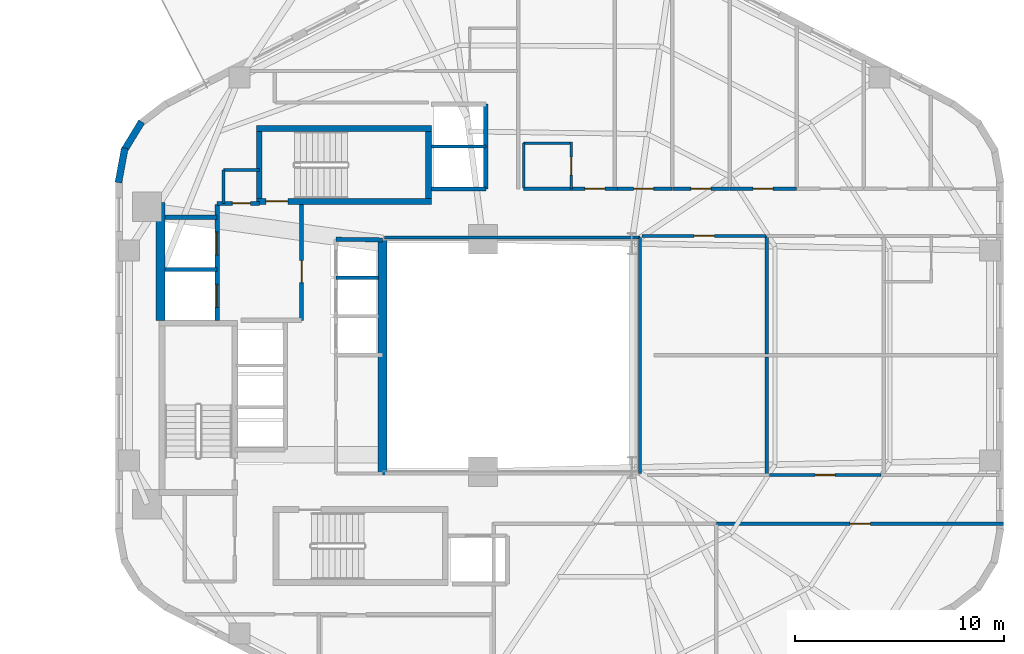
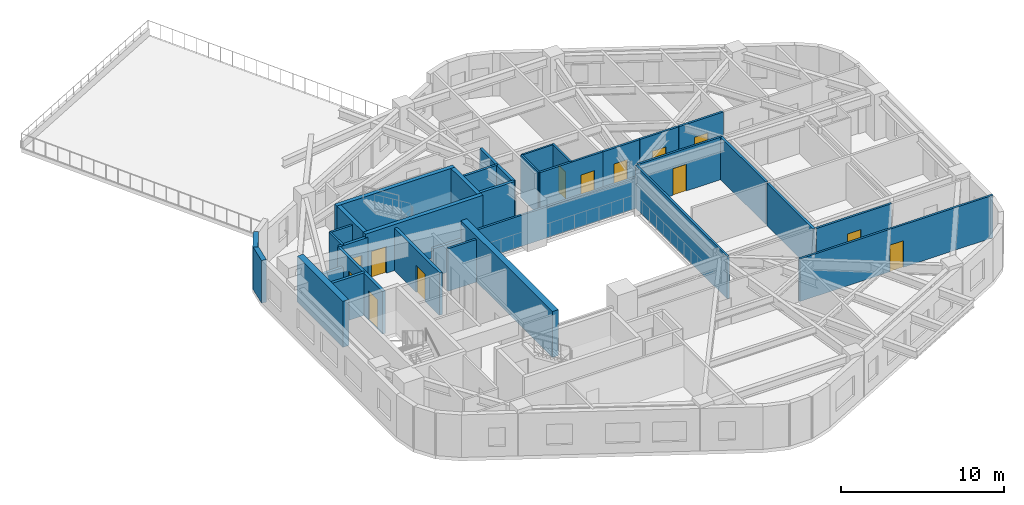
# One storey, part 4 of 8: 34 walls, 13 doors, 13 openings.
"""IFC4 building model written with IfcOpenShell, lengths in metres."""

import ifcopenshell
import ifcopenshell.guid

model = None  # the IFC model being written
_history = None  # IfcOwnerHistory: only IFC2X3 demands one
_inside = {}  # id of a spatial element -> (the spatial element, [elements in it])
_under = {}  # id of a project, library or spatial element -> (it, [spatial elements below it])
_declared = {}  # id of a project -> (the project, [libraries it declares])
_typed = {}  # id of a type object -> (the type object, [elements of that type])
_made_of = {}  # id of a material, layer set ... -> (it, [elements and type objects made of it])


def new_model(schema):
    """Start an empty IFC model of exactly this schema.

    Asked for "IFC4X3", IfcOpenShell would pick the latest addendum, in which some entities
    have other attributes; the version numbers below select the first issue.
    IFC2X3 requires an IfcOwnerHistory on every rooted entity: one is made here for all.
    """
    global model, _history
    if schema == "IFC4X3":
        model = ifcopenshell.file(schema_version=(4, 3, 0, 0))
    else:
        model = ifcopenshell.file(schema=schema)
    _inside.clear()
    _under.clear()
    _declared.clear()
    _typed.clear()
    _made_of.clear()
    _history = None
    if model.schema == "IFC2X3":
        org = make("IfcOrganization", Name="unknown")
        user = make(
            "IfcPersonAndOrganization",
            ThePerson=make("IfcPerson", FamilyName="unknown"),
            TheOrganization=org,
        )
        app = make(
            "IfcApplication",
            ApplicationDeveloper=org,
            Version="unknown",
            ApplicationFullName="unknown",
            ApplicationIdentifier="unknown",
        )
        _history = make(
            "IfcOwnerHistory",
            OwningUser=user,
            OwningApplication=app,
            ChangeAction="ADDED",
            CreationDate=0,
        )
    return model


def make(cls, **values):
    """One entity of the class cls with the attributes given. An attribute that is None is left unset."""
    return model.create_entity(
        cls, **{name: value for name, value in values.items() if value is not None}
    )


def rooted(cls, **values):
    """An entity with a GlobalId (a new one), such as an element, a storey or a relation."""
    return make(cls, GlobalId=ifcopenshell.guid.new(), OwnerHistory=_history, **values)


def si_unit(unit_type, name, prefix=None):
    """IfcSIUnit, for example si_unit("LENGTHUNIT", "METRE", prefix="MILLI")."""
    return make("IfcSIUnit", UnitType=unit_type, Prefix=prefix, Name=name)


def assignment(units):
    """IfcUnitAssignment: the units of a project."""
    return None if units is None else make("IfcUnitAssignment", Units=units)


def point(xyz):
    """IfcCartesianPoint."""
    return None if xyz is None else make("IfcCartesianPoint", Coordinates=xyz)


def direction(xyz):
    """IfcDirection."""
    return None if xyz is None else make("IfcDirection", DirectionRatios=xyz)


def frame(location, z_axis=None, x_axis=None):
    """IfcAxis2Placement3D, a coordinate frame: its origin and axes. An axis left out is left unset."""
    return make(
        "IfcAxis2Placement3D",
        Location=point(location),
        Axis=direction(z_axis),
        RefDirection=direction(x_axis),
    )


def frame_2d(location, x_axis=None):
    """IfcAxis2Placement2D, a coordinate frame in the plane: its origin and x axis."""
    return make(
        "IfcAxis2Placement2D", Location=point(location), RefDirection=direction(x_axis)
    )


def origin():
    """The frame at (0, 0, 0) with its axes left unset."""
    return frame((0.0, 0.0, 0.0))


def place(relative_to, where):
    """IfcLocalPlacement: puts the frame where relative to a parent placement (None: the world)."""
    return make(
        "IfcLocalPlacement", PlacementRelTo=relative_to, RelativePlacement=where
    )


def context(
    kind, dimensions, precision=None, world=None, true_north=None, identifier=None
):
    """IfcGeometricRepresentationContext, for example the 3D "Model" context."""
    return make(
        "IfcGeometricRepresentationContext",
        ContextIdentifier=identifier,
        ContextType=kind,
        CoordinateSpaceDimension=dimensions,
        Precision=precision,
        WorldCoordinateSystem=world,
        TrueNorth=true_north,
    )


def subcontext(parent, identifier, kind, view, scale=None):
    """IfcGeometricRepresentationSubContext, for example "Body" below "Model"."""
    return make(
        "IfcGeometricRepresentationSubContext",
        ContextIdentifier=identifier,
        ContextType=kind,
        ParentContext=parent,
        TargetScale=scale,
        TargetView=view,
    )


def project(units=None, contexts=None):
    """IfcProject with its units and contexts."""
    return rooted(
        "IfcProject",
        Name="project",
        RepresentationContexts=contexts,
        UnitsInContext=assignment(units),
    )


def spatial(cls, under=None, at=None, **own):
    """A site, building, storey or space (cls), placed at a placement, below another one or the project."""
    s = rooted(cls, ObjectPlacement=at, **own)
    if under is not None:
        _under.setdefault(under.id(), (under, []))[1].append(s)
    return s


def profile(cls, at=None, kind="AREA", **sizes):
    """A parametric profile (cls). Its sizes go by their IFC names, for example OverallWidth=200.0."""
    return make(cls, ProfileType=kind, Position=at, **sizes)


def rectangle(**sizes):
    """IfcRectangleProfileDef."""
    return profile("IfcRectangleProfileDef", **sizes)


def extrude(swept, where, along, depth):
    """IfcExtrudedAreaSolid: the profile swept, set in the frame where, extruded along a direction by depth."""
    return make(
        "IfcExtrudedAreaSolid",
        SweptArea=swept,
        Position=where,
        ExtrudedDirection=direction(along),
        Depth=depth,
    )


def shape(context_of_items, identifier, shape_type, items):
    """IfcShapeRepresentation: the items that make up one representation, for example the "Body"."""
    return make(
        "IfcShapeRepresentation",
        ContextOfItems=context_of_items,
        RepresentationIdentifier=identifier,
        RepresentationType=shape_type,
        Items=items,
    )


def material(Name=None, Category=None):
    """IfcMaterial."""
    return make("IfcMaterial", Name=Name, Category=Category)


def layer(
    of_material, thickness, ventilated=None, Name=None, Category=None, Priority=None
):
    """IfcMaterialLayer: one layer of a wall or slab, of a material (None: an air gap)."""
    return make(
        "IfcMaterialLayer",
        Material=of_material,
        LayerThickness=thickness,
        IsVentilated=ventilated,
        Name=Name,
        Category=Category,
        Priority=Priority,
    )


def layer_set(layers, Name=None):
    """IfcMaterialLayerSet."""
    return make("IfcMaterialLayerSet", MaterialLayers=layers, LayerSetName=Name)


def made_of(thing, what):
    """Note that an element or type object is made of a material, layer set ...; save() writes the relation."""
    if what is not None:
        _made_of.setdefault(what.id(), (what, []))[1].append(thing)
    return thing


def type_object(cls, material=None, **own):
    """A type object (cls), such as IfcWallType, which elements share."""
    return made_of(rooted(cls, **own), material)


def element(
    cls,
    number,
    at=None,
    inside=None,
    cuts=None,
    type_object=None,
    material=None,
    context=None,
    identifier="Body",
    shape_type=None,
    held_by="IfcProductDefinitionShape",
    body=None,
    shapes=None,
    **own,
):
    """One element of the class cls, such as IfcWall. Its Tag is "e" and its number.

    at: its placement. inside: the storey or other place that contains it. cuts: it is an
    opening in that element (IfcRelVoidsElement). A single representation is given by context,
    identifier, shape_type and body (its items); several are given by shapes. held_by: the class
    of the entity that holds the representations. save() writes the other relations.
    """
    e = rooted(cls, Tag="e%d" % number, ObjectPlacement=at, **own)
    if body is not None:
        shapes = [shape(context, identifier, shape_type, body)]
    if shapes is not None:
        e.Representation = make(held_by, Representations=shapes)
    if inside is not None:
        _inside.setdefault(inside.id(), (inside, []))[1].append(e)
    if cuts is not None:
        rooted(
            "IfcRelVoidsElement", RelatingBuildingElement=cuts, RelatedOpeningElement=e
        )
    if type_object is not None:
        _typed.setdefault(type_object.id(), (type_object, []))[1].append(e)
    return made_of(e, material)


def fill(opening, filler):
    """IfcRelFillsElement: the door or window that sits in an opening."""
    return rooted(
        "IfcRelFillsElement",
        RelatingOpeningElement=opening,
        RelatedBuildingElement=filler,
    )


def aggregate(whole, parts):
    """IfcRelAggregates: a whole, such as a stair, and the parts it consists of."""
    return rooted("IfcRelAggregates", RelatingObject=whole, RelatedObjects=parts)


def save(model, path):
    """Write the relations noted so far, then the file.

    IfcRelAggregates (storeys below a building ...), IfcRelContainedInSpatialStructure (elements
    in a storey), IfcRelDefinesByType, IfcRelAssociatesMaterial and IfcRelDeclares: one each for
    every whole, place, type object, material and project.
    """
    for whole, parts in _under.values():
        aggregate(whole, parts)
    for where, things in _inside.values():
        rooted(
            "IfcRelContainedInSpatialStructure",
            RelatedElements=things,
            RelatingStructure=where,
        )
    for kind, things in _typed.values():
        rooted("IfcRelDefinesByType", RelatedObjects=things, RelatingType=kind)
    for what, things in _made_of.values():
        rooted("IfcRelAssociatesMaterial", RelatedObjects=things, RelatingMaterial=what)
    for by, libraries in _declared.values():
        rooted("IfcRelDeclares", RelatingContext=by, RelatedDefinitions=libraries)
    model.write(path)


model = new_model("IFC4")

# Units and contexts
model_context = context("Model", 3, precision=1e-05, world=origin(), true_north=direction((0.0, 1.0)))
body_context = subcontext(model_context, "Body", "Model", "MODEL_VIEW")
ifc_project = project(units=[si_unit("LENGTHUNIT", "METRE"), si_unit("AREAUNIT", "SQUARE_METRE"), si_unit("VOLUMEUNIT", "CUBIC_METRE"), si_unit("PLANEANGLEUNIT", "RADIAN"), si_unit("MASSUNIT", "GRAM", prefix="KILO"), si_unit("THERMODYNAMICTEMPERATUREUNIT", "KELVIN"), si_unit("POWERUNIT", "WATT")], contexts=[model_context])

# Site, building, storey
site_placement = place(None, origin())
site = spatial("IfcSite", under=ifc_project, at=site_placement, CompositionType="ELEMENT")
building_placement = place(site_placement, origin())
building = spatial("IfcBuilding", under=site, at=building_placement, Name="Skarre Station Tower", CompositionType="ELEMENT")
storey_placement = place(building_placement, frame((0.0, 0.0, 149.85009765625)))
storey = spatial("IfcBuildingStorey", under=building, at=storey_placement, Name="L40", CompositionType="ELEMENT", Elevation=149.85009765625)

# Walls
ifc_material_1 = material(Name="Acoustic Steel-Stud Gypsum Partition", Category="steel")
ifc_layer_1 = layer(ifc_material_1, 0.14990234375, Name="Acoustic Steel-Stud Gypsum Partition")
ifc_layer_set_1 = layer_set([ifc_layer_1], Name="Acoustic Steel-Stud Gypsum Partition")
wall_type_1 = type_object("IfcWallType", Name="Fire-Rated Corridor Acoustic Partition 150", PredefinedType="PARTITIONING", material=ifc_layer_set_1)
wall_1_placement = place(storey_placement, frame((19.949951171875, 32.85009765625, 0.0), z_axis=(0.0, 0.0, 1.0), x_axis=(0.0, -1.0, 0.0)))
element("IfcWall", 1, at=wall_1_placement, inside=storey, type_object=wall_type_1, Name="L40 Interior Partition WL-PT-L40-CNW-W", PredefinedType="PARTITIONING", context=body_context, shape_type="SweptSolid", body=[
    extrude(rectangle(XDim=1.590087890625, YDim=0.14990234375, at=frame_2d((0.794921875, 0.0))), origin(), (0.0, 0.0, 1.0), 3.18994140625),
])
wall_2_placement = place(storey_placement, frame((21.659912109375, 32.85009765625, 0.0), z_axis=(0.0, 0.0, 1.0), x_axis=(-1.0, 0.0, 0.0)))
element("IfcWall", 2, at=wall_2_placement, inside=storey, type_object=wall_type_1, Name="L40 Interior Partition WL-PT-L40-CNW-N1", PredefinedType="PARTITIONING", context=body_context, shape_type="SweptSolid", body=[
    extrude(rectangle(XDim=1.7099609375, YDim=0.14990234375, at=frame_2d((0.85498046875, 0.0))), origin(), (0.0, 0.0, 1.0), 3.18994140625),
])
wall_3_placement = place(storey_placement, frame((39.840087890625, 29.639892578125, 0.0), z_axis=(0.0, 0.0, 1.0), x_axis=(-1.0, 0.0, 0.0)))
element("IfcWall", 3, at=wall_3_placement, inside=storey, type_object=wall_type_1, Name="L40 Interior Partition WL-PT-L40-ATRW-N", PredefinedType="PARTITIONING", context=body_context, shape_type="SweptSolid", body=[
    extrude(rectangle(XDim=12.2001953125, YDim=0.14990234375, at=frame_2d((6.10009765625, 0.0))), origin(), (0.0, 0.0, 1.0), 2.330810546875),
])
wall_4_placement = place(storey_placement, frame((39.840087890625, 18.360107421875, 0.0), z_axis=(0.0, 0.0, 1.0), x_axis=(0.0, 1.0, 0.0)))
element("IfcWall", 4, at=wall_4_placement, inside=storey, type_object=wall_type_1, Name="L40 Interior Partition WL-PT-L40-ATRW-E", PredefinedType="PARTITIONING", context=body_context, shape_type="SweptSolid", body=[
    extrude(rectangle(XDim=11.27978515625, YDim=0.14990234375, at=frame_2d((5.639892578125, 0.0))), origin(), (0.0, 0.0, 1.0), 3.18994140625),
])

# Wall, opening, door
wall_5_placement = place(storey_placement, frame((38.76806640625, 31.9599609375, 0.0), z_axis=(0.0, 0.0, 1.0), x_axis=(-1.0, 0.0, 0.0)))
wall_5 = element("IfcWall", 5, at=wall_5_placement, inside=storey, type_object=wall_type_1, Name="L40 Interior Partition WL-PT-L40-NW1-CW", PredefinedType="PARTITIONING", context=body_context, shape_type="SweptSolid", body=[
    extrude(rectangle(XDim=4.47802734375, YDim=0.14990234375, at=frame_2d((2.239013671875, 0.0))), origin(), (0.0, 0.0, 1.0), 3.18994140625),
])
opening_1_placement = place(wall_5_placement, frame((0.60205078125, 0.0, 0.0)))
opening_1 = element("IfcOpeningElement", 6, at=opening_1_placement, cuts=wall_5, Name="Opening DR-FD60", PredefinedType="OPENING", context=body_context, shape_type="SweptSolid", body=[
    extrude(rectangle(XDim=0.9599609375, YDim=2.0, at=frame_2d((0.47998046875, 1.0))), frame((0.0, 0.0849609375, 0.0), z_axis=(0.0, -1.0, 0.0), x_axis=(1.0, 0.0, 0.0)), (0.0, 0.0, 1.0), 0.169921875),
])
ifc_material_2 = material(Name="Nordic White-Oak Veneer Solid-Core Fire Leaf", Category="wood")
door_type_1 = type_object("IfcDoorType", Name="Corridor Suite Entry Fire Door FD60 960x2150", OperationType="SINGLE_SWING_LEFT", PredefinedType="DOOR", material=ifc_material_2)
door_1_placement = place(opening_1_placement, origin())
door_1 = element("IfcDoor", 7, at=door_1_placement, inside=storey, type_object=door_type_1, Name="L40 NW1 Entry Door", OperationType="SINGLE_SWING_LEFT", OverallHeight=2.0, OverallWidth=0.9599609375, PredefinedType="DOOR", context=body_context, shape_type="SweptSolid", body=[
    extrude(rectangle(XDim=0.9599609375, YDim=2.0, at=frame_2d((0.47998046875, 1.0))), frame((0.0, 0.02490234375, 0.0), z_axis=(0.0, -1.0, 0.0), x_axis=(1.0, 0.0, 0.0)), (0.0, 0.0, 1.0), 0.050048828125),
])
fill(opening_1, door_1)

wall_6_placement = place(storey_placement, frame((41.3720703125, 31.9599609375, 0.0), z_axis=(0.0, 0.0, 1.0), x_axis=(-1.0, 0.0, 0.0)))
wall_6 = element("IfcWall", 8, at=wall_6_placement, inside=storey, type_object=wall_type_1, Name="L40 Interior Partition WL-PT-L40-NW2-CW", PredefinedType="PARTITIONING", context=body_context, shape_type="SweptSolid", body=[
    extrude(rectangle(XDim=2.593994140625, YDim=0.14990234375, at=frame_2d((1.296875, 0.0))), origin(), (0.0, 0.0, 1.0), 3.18994140625),
])
opening_2_placement = place(wall_6_placement, frame((0.8740234375, 0.0, 0.0)))
opening_2 = element("IfcOpeningElement", 9, at=opening_2_placement, cuts=wall_6, Name="Opening DR-FD60", PredefinedType="OPENING", context=body_context, shape_type="SweptSolid", body=[
    extrude(rectangle(XDim=0.9599609375, YDim=2.0, at=frame_2d((0.47998046875, 1.0))), frame((0.0, 0.0849609375, 0.0), z_axis=(0.0, -1.0, 0.0), x_axis=(1.0, 0.0, 0.0)), (0.0, 0.0, 1.0), 0.169921875),
])
door_2_placement = place(opening_2_placement, origin())
door_2 = element("IfcDoor", 10, at=door_2_placement, inside=storey, type_object=door_type_1, Name="L40 NW2 Entry Door", OperationType="SINGLE_SWING_LEFT", OverallHeight=2.0, OverallWidth=0.9599609375, PredefinedType="DOOR", context=body_context, shape_type="SweptSolid", body=[
    extrude(rectangle(XDim=0.9599609375, YDim=2.0, at=frame_2d((0.47998046875, 1.0))), frame((0.0, 0.02490234375, 0.0), z_axis=(0.0, -1.0, 0.0), x_axis=(1.0, 0.0, 0.0)), (0.0, 0.0, 1.0), 0.050048828125),
])
fill(opening_2, door_2)

wall_7_placement = place(storey_placement, frame((44.113037109375, 31.9599609375, 0.0), z_axis=(0.0, 0.0, 1.0), x_axis=(-1.0, 0.0, 0.0)))
wall_7 = element("IfcWall", 11, at=wall_7_placement, inside=storey, type_object=wall_type_1, Name="L40 Interior Partition WL-PT-L40-NW3-CW", PredefinedType="PARTITIONING", context=body_context, shape_type="SweptSolid", body=[
    extrude(rectangle(XDim=2.708984375, YDim=0.14990234375, at=frame_2d((1.3544921875, 0.0))), origin(), (0.0, 0.0, 1.0), 3.18994140625),
])
opening_3_placement = place(wall_7_placement, frame((0.875, 0.0, 0.0)))
opening_3 = element("IfcOpeningElement", 12, at=opening_3_placement, cuts=wall_7, Name="Opening DR-FD60", PredefinedType="OPENING", context=body_context, shape_type="SweptSolid", body=[
    extrude(rectangle(XDim=0.9599609375, YDim=2.0, at=frame_2d((0.47998046875, 1.0))), frame((0.0, 0.0849609375, 0.0), z_axis=(0.0, -1.0, 0.0), x_axis=(1.0, 0.0, 0.0)), (0.0, 0.0, 1.0), 0.169921875),
])
door_3_placement = place(opening_3_placement, origin())
door_3 = element("IfcDoor", 13, at=door_3_placement, inside=storey, type_object=door_type_1, Name="L40 NW3 Entry Door", OperationType="SINGLE_SWING_LEFT", OverallHeight=2.0, OverallWidth=0.9599609375, PredefinedType="DOOR", context=body_context, shape_type="SweptSolid", body=[
    extrude(rectangle(XDim=0.9599609375, YDim=2.0, at=frame_2d((0.47998046875, 1.0))), frame((0.0, 0.02490234375, 0.0), z_axis=(0.0, -1.0, 0.0), x_axis=(1.0, 0.0, 0.0)), (0.0, 0.0, 1.0), 0.050048828125),
])
fill(opening_3, door_3)

wall_8_placement = place(storey_placement, frame((47.31005859375, 31.9599609375, 0.0), z_axis=(0.0, 0.0, 1.0), x_axis=(-1.0, 0.0, 0.0)))
wall_8 = element("IfcWall", 14, at=wall_8_placement, inside=storey, type_object=wall_type_1, Name="L40 Interior Partition WL-PT-L40-NW4-CW", PredefinedType="PARTITIONING", context=body_context, shape_type="SweptSolid", body=[
    extrude(rectangle(XDim=3.1650390625, YDim=0.14990234375, at=frame_2d((1.58251953125, 0.0))), origin(), (0.0, 0.0, 1.0), 3.18994140625),
])
opening_4_placement = place(wall_8_placement, frame((1.10302734375, 0.0, 0.0)))
opening_4 = element("IfcOpeningElement", 15, at=opening_4_placement, cuts=wall_8, Name="Opening DR-FD60", PredefinedType="OPENING", context=body_context, shape_type="SweptSolid", body=[
    extrude(rectangle(XDim=0.9599609375, YDim=2.0, at=frame_2d((0.47998046875, 1.0))), frame((0.0, 0.0849609375, 0.0), z_axis=(0.0, -1.0, 0.0), x_axis=(1.0, 0.0, 0.0)), (0.0, 0.0, 1.0), 0.169921875),
])
door_4_placement = place(opening_4_placement, origin())
door_4 = element("IfcDoor", 16, at=door_4_placement, inside=storey, type_object=door_type_1, Name="L40 NW4 Entry Door", OperationType="SINGLE_SWING_LEFT", OverallHeight=2.0, OverallWidth=0.9599609375, PredefinedType="DOOR", context=body_context, shape_type="SweptSolid", body=[
    extrude(rectangle(XDim=0.9599609375, YDim=2.0, at=frame_2d((0.47998046875, 1.0))), frame((0.0, 0.02490234375, 0.0), z_axis=(0.0, -1.0, 0.0), x_axis=(1.0, 0.0, 0.0)), (0.0, 0.0, 1.0), 0.050048828125),
])
fill(opening_4, door_4)

wall_9_placement = place(storey_placement, frame((39.949951171875, 29.7099609375, 0.0), z_axis=(0.0, 0.0, 1.0), x_axis=(1.0, 0.0, 0.0)))
wall_9 = element("IfcWall", 17, at=wall_9_placement, inside=storey, type_object=wall_type_1, Name="L40 Interior Partition WL-PT-L40-EWN1-CW", PredefinedType="PARTITIONING", context=body_context, shape_type="SweptSolid", body=[
    extrude(rectangle(XDim=5.924072265625, YDim=0.14990234375, at=frame_2d((2.9619140625, 0.0))), origin(), (0.0, 0.0, 1.0), 3.18994140625),
])
opening_5_placement = place(wall_9_placement, frame((2.48193359375, 0.0, 0.0)))
opening_5 = element("IfcOpeningElement", 18, at=opening_5_placement, cuts=wall_9, Name="Opening DR-FD60", PredefinedType="OPENING", context=body_context, shape_type="SweptSolid", body=[
    extrude(rectangle(XDim=0.9599609375, YDim=2.0, at=frame_2d((0.47998046875, 1.0))), frame((0.0, 0.0849609375, 0.0), z_axis=(0.0, -1.0, 0.0), x_axis=(1.0, 0.0, 0.0)), (0.0, 0.0, 1.0), 0.169921875),
])
door_5_placement = place(opening_5_placement, origin())
door_5 = element("IfcDoor", 19, at=door_5_placement, inside=storey, type_object=door_type_1, Name="L40 EWN1 Entry Door", OperationType="SINGLE_SWING_LEFT", OverallHeight=2.0, OverallWidth=0.9599609375, PredefinedType="DOOR", context=body_context, shape_type="SweptSolid", body=[
    extrude(rectangle(XDim=0.9599609375, YDim=2.0, at=frame_2d((0.47998046875, 1.0))), frame((0.0, 0.02490234375, 0.0), z_axis=(0.0, -1.0, 0.0), x_axis=(1.0, 0.0, 0.0)), (0.0, 0.0, 1.0), 0.050048828125),
])
fill(opening_5, door_5)

wall_10_placement = place(storey_placement, frame((51.35791015625, 18.2900390625, 0.0), z_axis=(0.0, 0.0, 1.0), x_axis=(-1.0, 0.0, 0.0)))
wall_10 = element("IfcWall", 20, at=wall_10_placement, inside=storey, type_object=wall_type_1, Name="L40 Interior Partition WL-PT-L40-EWS2-CW", PredefinedType="PARTITIONING", context=body_context, shape_type="SweptSolid", body=[
    extrude(rectangle(XDim=5.3388671875, YDim=0.14990234375, at=frame_2d((2.66943359375, 0.0))), origin(), (0.0, 0.0, 1.0), 3.18994140625),
])
opening_6_placement = place(wall_10_placement, frame((2.18896484375, 0.0, 0.0)))
opening_6 = element("IfcOpeningElement", 21, at=opening_6_placement, cuts=wall_10, Name="Opening DR-FD60", PredefinedType="OPENING", context=body_context, shape_type="SweptSolid", body=[
    extrude(rectangle(XDim=0.9599609375, YDim=2.0, at=frame_2d((0.47998046875, 1.0))), frame((0.0, 0.0849609375, 0.0), z_axis=(0.0, -1.0, 0.0), x_axis=(1.0, 0.0, 0.0)), (0.0, 0.0, 1.0), 0.169921875),
])
door_6_placement = place(opening_6_placement, origin())
door_6 = element("IfcDoor", 22, at=door_6_placement, inside=storey, type_object=door_type_1, Name="L40 EWS2 Entry Door", OperationType="SINGLE_SWING_LEFT", OverallHeight=2.0, OverallWidth=0.9599609375, PredefinedType="DOOR", context=body_context, shape_type="SweptSolid", body=[
    extrude(rectangle(XDim=0.9599609375, YDim=2.0, at=frame_2d((0.47998046875, 1.0))), frame((0.0, 0.02490234375, 0.0), z_axis=(0.0, -1.0, 0.0), x_axis=(1.0, 0.0, 0.0)), (0.0, 0.0, 1.0), 0.050048828125),
])
fill(opening_6, door_6)

wall_11_placement = place(storey_placement, frame((43.4970703125, 15.9599609375, 0.0), z_axis=(0.0, 0.0, 1.0), x_axis=(1.0, 0.0, 0.0)))
wall_11 = element("IfcWall", 23, at=wall_11_placement, inside=storey, type_object=wall_type_1, Name="L40 Interior Partition WL-PT-L40-SW2-CW", PredefinedType="PARTITIONING", context=body_context, shape_type="SweptSolid", body=[
    extrude(rectangle(XDim=13.7109375, YDim=0.14990234375, at=frame_2d((6.85546875, 0.0))), origin(), (0.0, 0.0, 1.0), 3.18994140625),
])
opening_7_placement = place(wall_11_placement, frame((6.388916015625, 0.0, 0.0)))
opening_7 = element("IfcOpeningElement", 24, at=opening_7_placement, cuts=wall_11, Name="Opening DR-FD60", PredefinedType="OPENING", context=body_context, shape_type="SweptSolid", body=[
    extrude(rectangle(XDim=0.9599609375, YDim=2.0, at=frame_2d((0.47998046875, 1.0))), frame((0.0, 0.0849609375, 0.0), z_axis=(0.0, -1.0, 0.0), x_axis=(1.0, 0.0, 0.0)), (0.0, 0.0, 1.0), 0.169921875),
])
door_7_placement = place(opening_7_placement, origin())
door_7 = element("IfcDoor", 25, at=door_7_placement, inside=storey, type_object=door_type_1, Name="L40 SW2 Entry Door", OperationType="SINGLE_SWING_LEFT", OverallHeight=2.0, OverallWidth=0.9599609375, PredefinedType="DOOR", context=body_context, shape_type="SweptSolid", body=[
    extrude(rectangle(XDim=0.9599609375, YDim=2.0, at=frame_2d((0.47998046875, 1.0))), frame((0.0, 0.02490234375, 0.0), z_axis=(0.0, -1.0, 0.0), x_axis=(1.0, 0.0, 0.0)), (0.0, 0.0, 1.0), 0.050048828125),
])
fill(opening_7, door_7)

ifc_material_3 = material(Name="Insulated Timber-Stud Gypsum Partition", Category="wood")
ifc_layer_2 = layer(ifc_material_3, 0.1201171875, Name="Insulated Timber-Stud Gypsum Partition")
ifc_layer_set_2 = layer_set([ifc_layer_2], Name="Insulated Timber-Stud Gypsum Partition")
wall_type_2 = type_object("IfcWallType", Name="Internal Suite Acoustic Partition 120", PredefinedType="PARTITIONING", material=ifc_layer_set_2)
wall_12_placement = place(storey_placement, frame((36.550048828125, 31.9599609375, 0.0), z_axis=(0.0, 0.0, 1.0), x_axis=(0.0, 1.0, 0.0)))
wall_12 = element("IfcWall", 26, at=wall_12_placement, inside=storey, type_object=wall_type_2, Name="L40 Interior Partition WL-PT-L40-NW1-EW2", PredefinedType="PARTITIONING", context=body_context, shape_type="SweptSolid", body=[
    extrude(rectangle(XDim=2.239990234375, YDim=0.1201171875, at=frame_2d((1.1201171875, 0.0))), origin(), (0.0, 0.0, 1.0), 3.18994140625),
])
opening_8_placement = place(wall_12_placement, frame((0.64990234375, 0.0, 0.0)))
opening_8 = element("IfcOpeningElement", 27, at=opening_8_placement, cuts=wall_12, Name="Opening DR-INT86", PredefinedType="OPENING", context=body_context, shape_type="SweptSolid", body=[
    extrude(rectangle(XDim=0.860107421875, YDim=2.0, at=frame_2d((0.43017578125, 1.0))), frame((0.0, 0.070068359375, 0.0), z_axis=(0.0, -1.0, 0.0), x_axis=(1.0, 0.0, 0.0)), (0.0, 0.0, 1.0), 0.14013671875),
])
ifc_material_4 = material(Name="Nordic Birch Acoustic Solid-Core Timber Leaf", Category="wood")
door_type_2 = type_object("IfcDoorType", Name="Internal En-Suite & Bedroom Door 860x2100", OperationType="SINGLE_SWING_LEFT", PredefinedType="DOOR", material=ifc_material_4)
door_8_placement = place(opening_8_placement, origin())
door_8 = element("IfcDoor", 28, at=door_8_placement, inside=storey, type_object=door_type_2, Name="L40 NW1 En-suite Door", OperationType="SINGLE_SWING_LEFT", OverallHeight=2.0, OverallWidth=0.860107421875, PredefinedType="DOOR", context=body_context, shape_type="SweptSolid", body=[
    extrude(rectangle(XDim=0.860107421875, YDim=2.0, at=frame_2d((0.43017578125, 1.0))), frame((0.0, 0.02490234375, 0.0), z_axis=(0.0, -1.0, 0.0), x_axis=(1.0, 0.0, 0.0)), (0.0, 0.0, 1.0), 0.050048828125),
])
fill(opening_8, door_8)

# Walls
wall_13_placement = place(storey_placement, frame((36.610107421875, 34.139892578125, 0.0), z_axis=(0.0, 0.0, 1.0), x_axis=(-1.0, 0.0, 0.0)))
element("IfcWall", 29, at=wall_13_placement, inside=storey, type_object=wall_type_2, Name="L40 Interior Partition WL-PT-L40-NW1-EW3", PredefinedType="PARTITIONING", context=body_context, shape_type="SweptSolid", body=[
    extrude(rectangle(XDim=2.320068359375, YDim=0.1201171875, at=frame_2d((1.16015625, 0.0))), origin(), (0.0, 0.0, 1.0), 3.18994140625),
])
wall_14_placement = place(storey_placement, frame((34.2900390625, 34.139892578125, 0.0), z_axis=(0.0, 0.0, 1.0), x_axis=(0.0, -1.0, 0.0)))
element("IfcWall", 30, at=wall_14_placement, inside=storey, type_object=wall_type_2, Name="L40 Interior Partition WL-PT-L40-NW1-EW4", PredefinedType="PARTITIONING", context=body_context, shape_type="SweptSolid", body=[
    extrude(rectangle(XDim=2.139892578125, YDim=0.1201171875, at=frame_2d((1.06982421875, 0.0))), origin(), (0.0, 0.0, 1.0), 3.18994140625),
])
ifc_material_5 = material(Name="Precast concrete C45/55", Category="concrete")
ifc_layer_3 = layer(ifc_material_5, 0.330078125, Name="Precast concrete C45/55")
ifc_layer_set_3 = layer_set([ifc_layer_3], Name="Precast concrete C45/55")
wall_type_3 = type_object("IfcWallType", Name="Nordic Rounded Corner Precast Wall 330", PredefinedType="STANDARD", material=ifc_layer_set_3)
wall_15_placement = place(storey_placement, frame((14.931884765625, 32.258056640625, 0.0), z_axis=(0.0, 0.0, 1.0), x_axis=(0.181984991895, 0.983301308209, 0.0)))
element("IfcWall", 31, at=wall_15_placement, inside=storey, type_object=wall_type_3, Name="L40 Rounded Corner Precast Wall F2-1", PredefinedType="STANDARD", context=body_context, shape_type="SweptSolid", body=[
    extrude(rectangle(XDim=1.677001953125, YDim=0.330078125, at=frame_2d((0.83837890625, 0.0))), origin(), (0.0, 0.0, 1.0), 3.18994140625),
])
wall_16_placement = place(storey_placement, frame((15.169921875, 33.73193359375, 0.0), z_axis=(0.0, 0.0, 1.0), x_axis=(0.520519429557, 0.853849824883, 0.0)))
element("IfcWall", 32, at=wall_16_placement, inside=storey, type_object=wall_type_3, Name="L40 Rounded Corner Precast Wall F2-2", PredefinedType="STANDARD", context=body_context, shape_type="SweptSolid", body=[
    extrude(rectangle(XDim=1.67724609375, YDim=0.330078125, at=frame_2d((0.838623046875, 0.0))), origin(), (0.0, 0.0, 1.0), 3.18994140625),
])

# Wall, opening, door
ifc_material_6 = material(Name="Concrete C50/60", Category="concrete")
ifc_layer_4 = layer(ifc_material_6, 0.280029296875, Name="Concrete C50/60")
ifc_layer_set_4 = layer_set([ifc_layer_4], Name="Concrete C50/60")
wall_type_4 = type_object("IfcWallType", Name="RC Core Shear Wall 280", PredefinedType="SHEAR", material=ifc_layer_set_4)
wall_17_placement = place(storey_placement, frame((21.52001953125, 31.360107421875, 0.0), z_axis=(0.0, 0.0, 1.0), x_axis=(1.0, 0.0, 0.0)))
wall_17 = element("IfcWall", 33, at=wall_17_placement, inside=storey, type_object=wall_type_4, Name="L40 Stair ST-3 South Shear Wall", PredefinedType="SHEAR", context=body_context, shape_type="SweptSolid", body=[
    extrude(rectangle(XDim=8.35986328125, YDim=0.280029296875, at=frame_2d((4.179931640625, 0.0))), origin(), (0.0, 0.0, 1.0), 3.449951171875),
])
opening_9_placement = place(wall_17_placement, frame((0.449951171875, 0.0, 0.0)))
opening_9 = element("IfcOpeningElement", 34, at=opening_9_placement, cuts=wall_17, Name="Opening DR-FD90", PredefinedType="OPENING", context=body_context, shape_type="SweptSolid", body=[
    extrude(rectangle(XDim=1.050048828125, YDim=2.0, at=frame_2d((0.52490234375, 1.0))), frame((0.0, 0.14990234375, 0.0), z_axis=(0.0, -1.0, 0.0), x_axis=(1.0, 0.0, 0.0)), (0.0, 0.0, 1.0), 0.300048828125),
])
ifc_material_7 = material(Name="Fire-Rated Insulated Steel Frame & Timber Core Leaf", Category="steel")
door_type_3 = type_object("IfcDoorType", Name="Stair & FSAE Lobby Fire Door FD90 1050x2150", OperationType="SINGLE_SWING_RIGHT", PredefinedType="DOOR", material=ifc_material_7)
door_9_placement = place(opening_9_placement, origin())
door_9 = element("IfcDoor", 35, at=door_9_placement, inside=storey, type_object=door_type_3, Name="L40 Stair ST-3 & FSAE Lobby Direct Exit Door", OperationType="SINGLE_SWING_LEFT", OverallHeight=2.0, OverallWidth=1.050048828125, PredefinedType="DOOR", context=body_context, shape_type="SweptSolid", body=[
    extrude(rectangle(XDim=1.050048828125, YDim=2.0, at=frame_2d((0.52490234375, 1.0))), frame((0.0, 0.02490234375, 0.0), z_axis=(0.0, -1.0, 0.0), x_axis=(1.0, 0.0, 0.0)), (0.0, 0.0, 1.0), 0.050048828125),
])
fill(opening_9, door_9)

# Walls
wall_18_placement = place(storey_placement, frame((29.8798828125, 34.840087890625, 0.0), z_axis=(0.0, 0.0, 1.0), x_axis=(-1.0, 0.0, 0.0)))
element("IfcWall", 36, at=wall_18_placement, inside=storey, type_object=wall_type_4, Name="L40 Stair ST-3 North Shear Wall", PredefinedType="SHEAR", context=body_context, shape_type="SweptSolid", body=[
    extrude(rectangle(XDim=8.35986328125, YDim=0.280029296875, at=frame_2d((4.179931640625, 0.0))), origin(), (0.0, 0.0, 1.0), 3.449951171875),
])
for number, where, z_axis, x_axis, name in (
    (37, (21.659912109375, 34.699951171875, 0.0), (0.0, 0.0, 1.0), (0.0, -1.0, 0.0), "L40 Stair ST-3 West Shear Wall"),
    (38, (29.739990234375, 31.5, 0.0), (0.0, 0.0, 1.0), (0.0, 1.0, 0.0), "L40 Stair ST-3 East Shear Wall"),
):
    element("IfcWall", number, at=place(storey_placement, frame(where, z_axis=z_axis, x_axis=x_axis)), inside=storey, type_object=wall_type_4, Name=name, PredefinedType="SHEAR", context=body_context, shape_type="SweptSolid", body=[
        extrude(rectangle(XDim=3.199951171875, YDim=0.280029296875, at=frame_2d((1.60009765625, 0.0))), origin(), (0.0, 0.0, 1.0), 3.449951171875),
    ])
ifc_material_8 = material(Name="Concrete C60/75", Category="concrete")
ifc_layer_5 = layer(ifc_material_8, 0.419921875, Name="Concrete C60/75")
ifc_layer_set_5 = layer_set([ifc_layer_5], Name="Concrete C60/75")
wall_type_5 = type_object("IfcWallType", Name="RC Core Shear Wall 420", PredefinedType="SHEAR", material=ifc_layer_set_5)
wall_19_placement = place(storey_placement, frame((16.93994140625, 25.679931640625, 0.0), z_axis=(0.0, 0.0, 1.0), x_axis=(0.0, 1.0, 0.0)))
element("IfcWall", 39, at=wall_19_placement, inside=storey, type_object=wall_type_5, Name="L40 Core West-North Shear Wall", PredefinedType="SHEAR", context=body_context, shape_type="SweptSolid", body=[
    extrude(rectangle(XDim=5.6201171875, YDim=0.419921875, at=frame_2d((2.81005859375, 0.0))), origin(), (0.0, 0.0, 1.0), 3.449951171875),
])
wall_20_placement = place(storey_placement, frame((27.550048828125, 29.550048828125, 0.0), z_axis=(0.0, 0.0, 1.0), x_axis=(0.0, -1.0, 0.0)))
element("IfcWall", 40, at=wall_20_placement, inside=storey, type_object=wall_type_5, Name="L40 Core East Atrium Shear Wall", PredefinedType="SHEAR", context=body_context, shape_type="SweptSolid", body=[
    extrude(rectangle(XDim=11.25, YDim=0.419921875, at=frame_2d((5.625, 0.0))), origin(), (0.0, 0.0, 1.0), 3.449951171875),
])

# Wall, openings, doors
ifc_material_9 = material(Name="Gypsum Concrete Shaft Assembly C30/37", Category="concrete")
ifc_layer_6 = layer(ifc_material_9, 0.199951171875, Name="Gypsum Concrete Shaft Assembly C30/37")
ifc_layer_set_6 = layer_set([ifc_layer_6], Name="Gypsum Concrete Shaft Assembly C30/37")
wall_type_6 = type_object("IfcWallType", Name="Shaft & Core Fire Partition 200", PredefinedType="PARTITIONING", material=ifc_layer_set_6)
wall_21_placement = place(storey_placement, frame((19.64990234375, 25.679931640625, 0.0), z_axis=(0.0, 0.0, 1.0), x_axis=(0.0, 1.0, 0.0)))
wall_21 = element("IfcWall", 41, at=wall_21_placement, inside=storey, type_object=wall_type_6, Name="L40 Interior Partition WL-PT-L40-FSAE-W", PredefinedType="PARTITIONING", context=body_context, shape_type="SweptSolid", body=[
    extrude(rectangle(XDim=5.5400390625, YDim=0.199951171875, at=frame_2d((2.77001953125, 0.0))), origin(), (0.0, 0.0, 1.0), 3.18994140625),
])
opening_10_placement = place(wall_21_placement, frame((0.6201171875, 0.0, 0.0)))
opening_10 = element("IfcOpeningElement", 42, at=opening_10_placement, cuts=wall_21, Name="Opening LD-FF1", PredefinedType="OPENING", context=body_context, shape_type="SweptSolid", body=[
    extrude(rectangle(XDim=1.10009765625, YDim=2.199951171875, at=frame_2d((0.550048828125, 1.10009765625))), frame((0.0, 0.10986328125, 0.0), z_axis=(0.0, -1.0, 0.0), x_axis=(1.0, 0.0, 0.0)), (0.0, 0.0, 1.0), 0.219970703125),
])
opening_11_placement = place(wall_21_placement, frame((3.1201171875, 0.0, 0.0)))
opening_11 = element("IfcOpeningElement", 43, at=opening_11_placement, cuts=wall_21, Name="Opening LD-FF2", PredefinedType="OPENING", context=body_context, shape_type="SweptSolid", body=[
    extrude(rectangle(XDim=1.10009765625, YDim=2.199951171875, at=frame_2d((0.550048828125, 1.10009765625))), frame((0.0, 0.10986328125, 0.0), z_axis=(0.0, -1.0, 0.0), x_axis=(1.0, 0.0, 0.0)), (0.0, 0.0, 1.0), 0.219970703125),
])
ifc_material_10 = material(Name="Fire-Rated Stainless Steel Grade 316L Sliding Leaves", Category="steel")
door_type_4 = type_object("IfcDoorType", Name="Fire Service Access Elevator Sliding Landing Door 1100x2200", OperationType="SLIDING_TO_LEFT", PredefinedType="DOOR", material=ifc_material_10)
door_10_placement = place(opening_10_placement, origin())
door_10 = element("IfcDoor", 44, at=door_10_placement, inside=storey, type_object=door_type_4, Name="L40 Firefighting Lift LF-FF1 Landing Door", OperationType="SLIDING_TO_LEFT", OverallHeight=2.199951171875, OverallWidth=1.10009765625, PredefinedType="DOOR", context=body_context, shape_type="SweptSolid", body=[
    extrude(rectangle(XDim=1.10009765625, YDim=2.199951171875, at=frame_2d((0.550048828125, 1.10009765625))), frame((0.0, 0.02490234375, 0.0), z_axis=(0.0, -1.0, 0.0), x_axis=(1.0, 0.0, 0.0)), (0.0, 0.0, 1.0), 0.050048828125),
])
fill(opening_10, door_10)
door_11_placement = place(opening_11_placement, origin())
door_11 = element("IfcDoor", 45, at=door_11_placement, inside=storey, type_object=door_type_4, Name="L40 Firefighting Lift LF-FF2 Landing Door", OperationType="SLIDING_TO_LEFT", OverallHeight=2.199951171875, OverallWidth=1.10009765625, PredefinedType="DOOR", context=body_context, shape_type="SweptSolid", body=[
    extrude(rectangle(XDim=1.10009765625, YDim=2.199951171875, at=frame_2d((0.550048828125, 1.10009765625))), frame((0.0, 0.02490234375, 0.0), z_axis=(0.0, -1.0, 0.0), x_axis=(1.0, 0.0, 0.0)), (0.0, 0.0, 1.0), 0.050048828125),
])
fill(opening_11, door_11)

# Wall, opening, door
wall_22_placement = place(storey_placement, frame((23.679931640625, 25.679931640625, 0.0), z_axis=(0.0, 0.0, 1.0), x_axis=(0.0, 1.0, 0.0)))
wall_22 = element("IfcWall", 46, at=wall_22_placement, inside=storey, type_object=wall_type_6, Name="L40 Interior Partition WL-PT-L40-FSAE-E", PredefinedType="PARTITIONING", context=body_context, shape_type="SweptSolid", body=[
    extrude(rectangle(XDim=5.5400390625, YDim=0.199951171875, at=frame_2d((2.77001953125, 0.0))), origin(), (0.0, 0.0, 1.0), 3.18994140625),
])
opening_12_placement = place(wall_22_placement, frame((1.800048828125, 0.0, 0.0)))
opening_12 = element("IfcOpeningElement", 47, at=opening_12_placement, cuts=wall_22, Name="Opening DR-FD90", PredefinedType="OPENING", context=body_context, shape_type="SweptSolid", body=[
    extrude(rectangle(XDim=1.050048828125, YDim=2.0, at=frame_2d((0.52490234375, 1.0))), frame((0.0, 0.10986328125, 0.0), z_axis=(0.0, -1.0, 0.0), x_axis=(1.0, 0.0, 0.0)), (0.0, 0.0, 1.0), 0.219970703125),
])
door_12_placement = place(opening_12_placement, origin())
door_12 = element("IfcDoor", 48, at=door_12_placement, inside=storey, type_object=door_type_3, Name="L40 FSAE Lobby Fire Door", OperationType="SINGLE_SWING_RIGHT", OverallHeight=2.0, OverallWidth=1.050048828125, PredefinedType="DOOR", context=body_context, shape_type="SweptSolid", body=[
    extrude(rectangle(XDim=1.050048828125, YDim=2.0, at=frame_2d((0.52490234375, 1.0))), frame((0.0, 0.02490234375, 0.0), z_axis=(0.0, -1.0, 0.0), x_axis=(1.0, 0.0, 0.0)), (0.0, 0.0, 1.0), 0.050048828125),
])
fill(opening_12, door_12)

wall_23_placement = place(storey_placement, frame((21.659912109375, 31.260009765625, 0.0), z_axis=(0.0, 0.0, 1.0), x_axis=(-1.0, 0.0, 0.0)))
wall_23 = element("IfcWall", 49, at=wall_23_placement, inside=storey, type_object=wall_type_6, Name="L40 Interior Partition WL-PT-L40-FSAE-N", PredefinedType="PARTITIONING", context=body_context, shape_type="SweptSolid", body=[
    extrude(rectangle(XDim=2.010009765625, YDim=0.199951171875, at=frame_2d((1.0048828125, 0.0))), origin(), (0.0, 0.0, 1.0), 3.18994140625),
])
opening_13_placement = place(wall_23_placement, frame((0.419921875, 0.0, 0.0)))
opening_13 = element("IfcOpeningElement", 50, at=opening_13_placement, cuts=wall_23, Name="Opening DR-SVC86", PredefinedType="OPENING", context=body_context, shape_type="SweptSolid", body=[
    extrude(rectangle(XDim=0.860107421875, YDim=2.0, at=frame_2d((0.43017578125, 1.0))), frame((0.0, 0.10986328125, 0.0), z_axis=(0.0, -1.0, 0.0), x_axis=(1.0, 0.0, 0.0)), (0.0, 0.0, 1.0), 0.219970703125),
])
ifc_material_11 = material(Name="Powder-Coated Hollow-Metal Acoustic Fire Leaf", Category="steel")
door_type_5 = type_object("IfcDoorType", Name="Compact Riser Fire Door FD60 860x2100", OperationType="SINGLE_SWING_LEFT", PredefinedType="DOOR", material=ifc_material_11)
door_13_placement = place(opening_13_placement, origin())
door_13 = element("IfcDoor", 51, at=door_13_placement, inside=storey, type_object=door_type_5, Name="L40 Core Service Room Lobby Door", OperationType="SINGLE_SWING_LEFT", OverallHeight=2.0, OverallWidth=0.860107421875, PredefinedType="DOOR", context=body_context, shape_type="SweptSolid", body=[
    extrude(rectangle(XDim=0.860107421875, YDim=2.0, at=frame_2d((0.43017578125, 1.0))), frame((0.0, 0.02490234375, 0.0), z_axis=(0.0, -1.0, 0.0), x_axis=(1.0, 0.0, 0.0)), (0.0, 0.0, 1.0), 0.050048828125),
])
fill(opening_13, door_13)

# Walls
wall_24_placement = place(storey_placement, frame((17.14990234375, 28.10009765625, 0.0), z_axis=(0.0, 0.0, 1.0), x_axis=(1.0, 0.0, 0.0)))
element("IfcWall", 52, at=wall_24_placement, inside=storey, type_object=wall_type_6, Name="L40 Interior Partition WL-PT-L40-FF-DIV", PredefinedType="PARTITIONING", context=body_context, shape_type="SweptSolid", body=[
    extrude(rectangle(XDim=2.5, YDim=0.199951171875, at=frame_2d((1.25, 0.0))), origin(), (0.0, 0.0, 1.0), 3.18994140625),
])
wall_25_placement = place(storey_placement, frame((19.64990234375, 30.60009765625, 0.0), z_axis=(0.0, 0.0, 1.0), x_axis=(-1.0, 0.0, 0.0)))
element("IfcWall", 53, at=wall_25_placement, inside=storey, type_object=wall_type_6, Name="L40 Interior Partition WL-PT-L40-FF-N", PredefinedType="PARTITIONING", context=body_context, shape_type="SweptSolid", body=[
    extrude(rectangle(XDim=2.5, YDim=0.199951171875, at=frame_2d((1.25, 0.0))), origin(), (0.0, 0.0, 1.0), 2.08984375),
])
wall_26_placement = place(storey_placement, frame((32.47998046875, 31.949951171875, 0.0), z_axis=(0.0, 0.0, 1.0), x_axis=(0.0, 1.0, 0.0)))
element("IfcWall", 54, at=wall_26_placement, inside=storey, type_object=wall_type_6, Name="L40 Interior Partition WL-PT-L40-EX-E", PredefinedType="PARTITIONING", context=body_context, shape_type="SweptSolid", body=[
    extrude(rectangle(XDim=4.050048828125, YDim=0.199951171875, at=frame_2d((2.02490234375, 0.0))), origin(), (0.0, 0.0, 1.0), 3.18994140625),
])
wall_27_placement = place(storey_placement, frame((32.47998046875, 31.949951171875, 0.0), z_axis=(0.0, 0.0, 1.0), x_axis=(-1.0, 0.0, 0.0)))
element("IfcWall", 55, at=wall_27_placement, inside=storey, type_object=wall_type_6, Name="L40 Interior Partition WL-PT-L40-EX-S", PredefinedType="PARTITIONING", context=body_context, shape_type="SweptSolid", body=[
    extrude(rectangle(XDim=2.60009765625, YDim=0.199951171875, at=frame_2d((1.300048828125, 0.0))), origin(), (0.0, 0.0, 1.0), 3.18994140625),
])
wall_28_placement = place(storey_placement, frame((29.875, 33.97998046875, 0.0), z_axis=(0.0, 0.0, 1.0), x_axis=(1.0, 0.0, 0.0)))
element("IfcWall", 56, at=wall_28_placement, inside=storey, type_object=wall_type_6, Name="L40 Interior Partition WL-PT-L40-EX-DIV", PredefinedType="PARTITIONING", context=body_context, shape_type="SweptSolid", body=[
    extrude(rectangle(XDim=2.60498046875, YDim=0.159912109375, at=frame_2d((1.302490234375, 0.0))), origin(), (0.0, 0.0, 1.0), 3.18994140625),
])
wall_29_placement = place(storey_placement, frame((27.550048828125, 29.52001953125, 0.0), z_axis=(0.0, 0.0, 1.0), x_axis=(-0.999909343457, 0.013464949556, 0.0)))
element("IfcWall", 57, at=wall_29_placement, inside=storey, type_object=wall_type_6, Name="L40 Interior Partition WL-PT-L40-B2-N", PredefinedType="PARTITIONING", context=body_context, shape_type="SweptSolid", body=[
    extrude(rectangle(XDim=2.230224609375, YDim=0.199951171875, at=frame_2d((1.115234375, 0.0))), origin(), (0.0, 0.0, 1.0), 2.08984375),
])
wall_30_placement = place(storey_placement, frame((25.320068359375, 27.719970703125, 0.0), z_axis=(0.0, 0.0, 1.0), x_axis=(1.0, 0.0, 0.0)))
element("IfcWall", 58, at=wall_30_placement, inside=storey, type_object=wall_type_6, Name="L40 Interior Partition WL-PT-L40-B2-D277", PredefinedType="PARTITIONING", context=body_context, shape_type="SweptSolid", body=[
    extrude(rectangle(XDim=2.030029296875, YDim=0.159912109375, at=frame_2d((1.01513671875, 0.0))), origin(), (0.0, 0.0, 1.0), 3.18994140625),
])
ifc_layer_7 = layer(ifc_material_1, 0.1650390625, Name="Acoustic Steel-Stud Gypsum Partition")
ifc_layer_set_7 = layer_set([ifc_layer_7], Name="Acoustic Steel-Stud Gypsum Partition")
wall_type_7 = type_object("IfcWallType", Name="Suite Demising Acoustic Partition 165", PredefinedType="PARTITIONING", material=ifc_layer_set_7)
for number, where, z_axis, x_axis, name in (
    (59, (45.888916015625, 24.070068359375, 0.0), (0.0, 0.0, 1.0), (0.0, 1.0, 0.0), "L40 Interior Partition WL-PT-L40-EWN-P1"),
    (60, (45.888916015625, 18.2900390625, 0.0), (0.0, 0.0, 1.0), (0.0, 1.0, 0.0), "L40 Interior Partition WL-PT-L40-EWS-P1"),
):
    element("IfcWall", number, at=place(storey_placement, frame(where, z_axis=z_axis, x_axis=x_axis)), inside=storey, type_object=wall_type_7, Name=name, PredefinedType="PARTITIONING", context=body_context, shape_type="SweptSolid", body=[
        extrude(rectangle(XDim=5.639892578125, YDim=0.1650390625, at=frame_2d((2.81982421875, 0.0))), origin(), (0.0, 0.0, 1.0), 3.18994140625),
    ])

save(model, "model.ifc")
